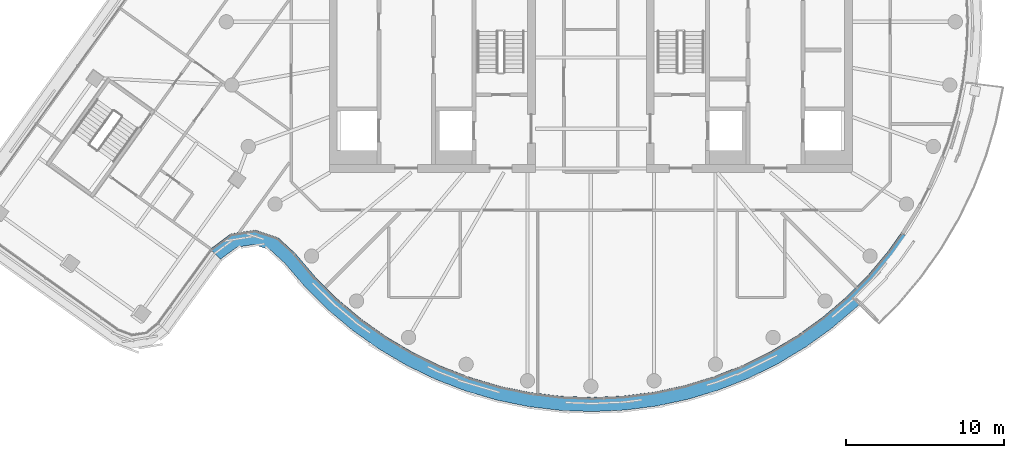
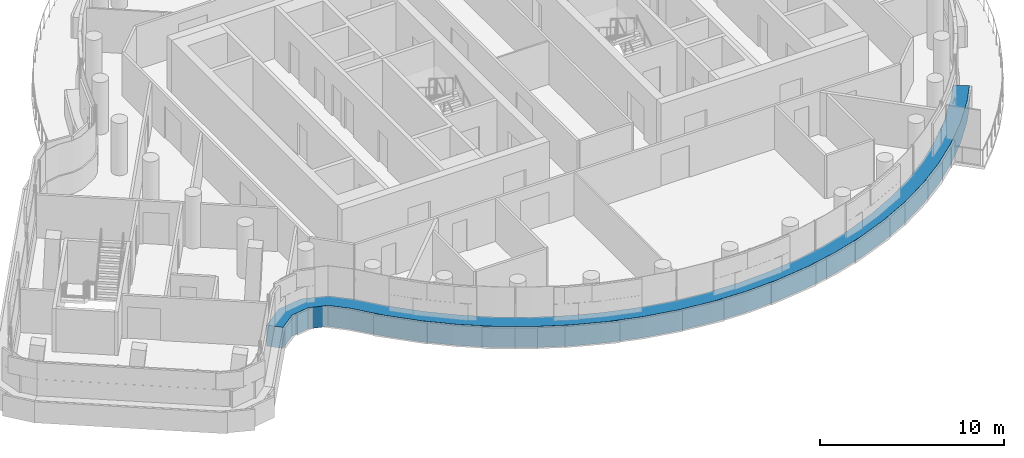
# One storey, part 7 of 27: 1 member, 1 element without a shape of its own.
"""IFC4 building model written with IfcOpenShell, lengths in metres."""

from ifc_helpers import new_model, si_unit, direction, frame, origin, place, context, subcontext, project, spatial, polyline, outline, extrude, material, layer, layer_set, type_object, element, aggregate, save


model = new_model("IFC4")

# Units and contexts
model_context = context("Model", 3, precision=1e-05, world=origin(), true_north=direction((0.0, 1.0)))
body_context = subcontext(model_context, "Body", "Model", "MODEL_VIEW")
ifc_project = project(units=[si_unit("LENGTHUNIT", "METRE"), si_unit("AREAUNIT", "SQUARE_METRE"), si_unit("VOLUMEUNIT", "CUBIC_METRE"), si_unit("PLANEANGLEUNIT", "RADIAN"), si_unit("MASSUNIT", "GRAM", prefix="KILO")], contexts=[model_context])

# Site, building, storey
site_placement = place(None, origin())
site = spatial("IfcSite", under=ifc_project, at=site_placement, CompositionType="ELEMENT")
building_placement = place(site_placement, origin())
building = spatial("IfcBuilding", under=site, at=building_placement, Name="Tamarind Cross Interchange Tower", CompositionType="ELEMENT")
storey_placement = place(building_placement, frame((0.0, 0.0, 230.699951171875)))
storey = spatial("IfcBuildingStorey", under=building, at=storey_placement, Name="L58", CompositionType="ELEMENT", Elevation=230.699951171875)

# Curtain wall, member
ifc_material_1 = material(Name="Aluminium 6063-T6", Category="aluminium")
ifc_layer = layer(ifc_material_1, 0.139892578125)
ifc_layer_set = layer_set([ifc_layer], Name="Aluminium 6063-T6")
curtain_wall_type = type_object("IfcCurtainWallType", Name="Hotel curtain wall, 4.5 m bays", PredefinedType="NOTDEFINED", material=ifc_layer_set)
curtain_wall_placement = place(storey_placement, origin())
curtain_wall = element("IfcCurtainWall", 1, at=curtain_wall_placement, inside=storey, type_object=curtain_wall_type, Name="CWS-L58-02", PredefinedType="NOTDEFINED")
ifc_material_2 = material(Name="Aluminium and insulated spandrel panel", Category="aluminium")
member_type = type_object("IfcMemberType", Name="Floor-edge blade transom", PredefinedType="USERDEFINED", material=ifc_material_2)
member_placement = place(storey_placement, origin())
member = element("IfcMember", 2, at=member_placement, type_object=member_type, Name="CWT-L58-02-0", ObjectType="TRANSOM", PredefinedType="USERDEFINED", context=body_context, shape_type="SweptSolid", body=[
    extrude(outline(polyline([(-24.0146484375, -14.344970703125), (-22.70751953125, -13.374755859375), (-21.191650390625, -13.1337890625), (-19.7412109375, -13.610107421875), (-18.656005859375, -14.611572265625), (-17.3642578125, -16.12353515625), (-15.973388671875, -17.50244140625), (-14.4736328125, -18.76171875), (-12.874755859375, -19.892822265625), (-11.188232421875, -20.88818359375), (-9.425048828125, -21.74072265625), (-7.597412109375, -22.444580078125), (-5.718017578125, -22.995361328125), (-3.799560546875, -23.38916015625), (-1.855224609375, -23.623046875), (0.10205078125, -23.695556640625), (2.058349609375, -23.606201171875), (4.000732421875, -23.35546875), (5.915771484375, -22.9453125), (7.790283203125, -22.37841796875), (9.61181640625, -21.65869140625), (11.367431640625, -20.791015625), (13.045654296875, -19.78125), (14.634521484375, -18.636474609375), (16.12353515625, -17.3642578125), (17.50244140625, -15.973388671875), (18.76171875, -14.4736328125), (19.587646484375, -13.306396484375), (20.332275390625, -13.81201171875), (19.474853515625, -15.023681640625), (18.167724609375, -16.580810546875), (16.736572265625, -18.0244140625), (15.19091796875, -19.344970703125), (13.54150390625, -20.533203125), (11.799560546875, -21.581298828125), (9.97705078125, -22.482177734375), (8.08642578125, -23.229248046875), (6.140625, -23.817626953125), (4.15283203125, -24.243408203125), (2.13671875, -24.50341796875), (0.10595703125, -24.59619140625), (-1.925537109375, -24.52099609375), (-3.944091796875, -24.2783203125), (-5.935302734375, -23.86962890625), (-7.88623046875, -23.2978515625), (-9.783203125, -22.567138671875), (-11.613525390625, -21.68212890625), (-13.3642578125, -20.64892578125), (-15.023681640625, -19.474853515625), (-16.580810546875, -18.167724609375), (-18.0244140625, -16.736572265625), (-19.3056640625, -15.23681640625), (-20.207763671875, -14.404052734375), (-21.265380859375, -14.056884765625), (-22.348388671875, -14.22900390625), (-23.3671875, -14.985107421875), (-24.0146484375, -14.344970703125)])), origin(), (0.0, 0.0, 1.0), 1.400146484375),
])
aggregate(curtain_wall, [member])

save(model, "model.ifc")
